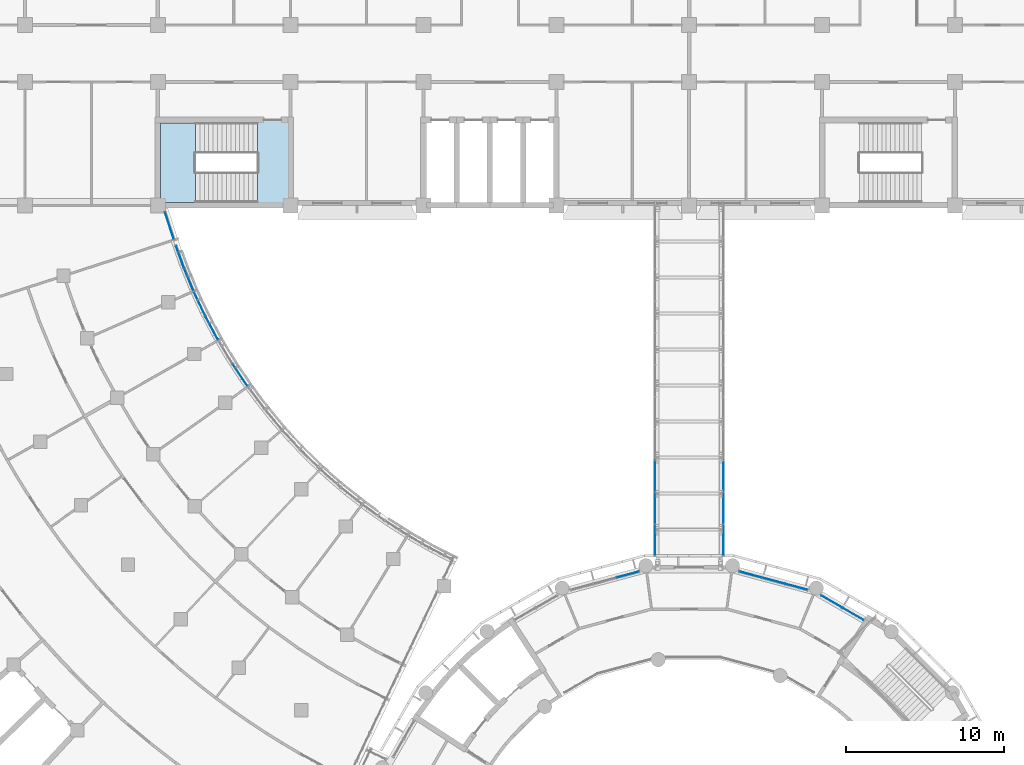
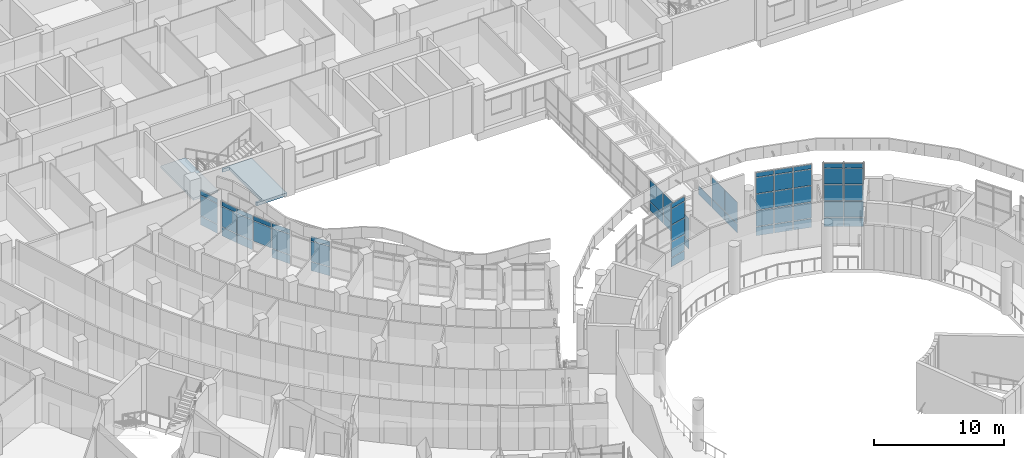
# One storey, part 48 of 136: 58 plates, 2 slabs, 10 elements without a shape of their own.
"""IFC4 building model written with IfcOpenShell, lengths in metres."""

from ifc_helpers import new_model, si_unit, direction, frame, origin, origin_2d, place, context, subcontext, project, spatial, polyline, rectangle, outline, extrude, material, layer, layer_set, type_object, element, aggregate, save


model = new_model("IFC4")

# Units and contexts
model_context = context("Model", 3, precision=1e-05, world=origin(), true_north=direction((0.0, 1.0)))
body_context = subcontext(model_context, "Body", "Model", "MODEL_VIEW")
ifc_project = project(units=[si_unit("LENGTHUNIT", "METRE"), si_unit("AREAUNIT", "SQUARE_METRE"), si_unit("VOLUMEUNIT", "CUBIC_METRE"), si_unit("PLANEANGLEUNIT", "RADIAN"), si_unit("MASSUNIT", "GRAM", prefix="KILO")], contexts=[model_context])

# Site, building, storey
site_placement = place(None, origin())
site = spatial("IfcSite", under=ifc_project, at=site_placement, CompositionType="ELEMENT")
building_placement = place(site_placement, origin())
building = spatial("IfcBuilding", under=site, at=building_placement, Name="Bougainvillea Quay General Hospital", CompositionType="ELEMENT")
storey_placement = place(building_placement, frame((0.0, 0.0, 5.39990234375)))
storey = spatial("IfcBuildingStorey", under=building, at=storey_placement, Name="L01", CompositionType="ELEMENT", Elevation=5.39990234375)

# Curtain wall, plates
ifc_material_1 = material(Name="Aluminium curtain wall system, powder-coated glazed", Category="aluminium")
curtain_wall_type_1 = type_object("IfcCurtainWallType", Name="Unitised curtain wall CW-2100", PredefinedType="NOTDEFINED", material=ifc_material_1)
curtain_wall_1_placement = place(storey_placement, origin())
curtain_wall_1 = element("IfcCurtainWall", 1, at=curtain_wall_1_placement, inside=storey, type_object=curtain_wall_type_1, Name="CW-W06 a11b5", PredefinedType="NOTDEFINED")
ifc_material_2 = material(Name="Insulated aluminium spandrel panel, white", Category="aluminium")
ifc_layer_1 = layer(ifc_material_2, 0.028076171875)
ifc_layer_set_1 = layer_set([ifc_layer_1], Name="Insulated aluminium spandrel panel, white")
plate_type_1 = type_object("IfcPlateType", Name="Insulated spandrel panel white 28", PredefinedType="CURTAIN_PANEL", material=ifc_layer_set_1)
plate_1_placement = place(storey_placement, frame((80.802001953125, 106.872802734375, 0.06005859375), z_axis=(0.0, 0.0, 1.0), x_axis=(-0.55900478642, 0.82916442806, 0.0)))
plate_1 = element("IfcPlate", 2, at=plate_1_placement, type_object=plate_type_1, Name="CW-W06 spandrel panel 1.1", PredefinedType="CURTAIN_PANEL", context=body_context, shape_type="SweptSolid", body=[
    extrude(rectangle(XDim=1.64697265625, YDim=0.028076171875, at=origin_2d()), origin(), (0.0, 0.0, 1.0), 0.81005859375),
])
plate_2_placement = place(storey_placement, frame((80.802001953125, 106.872802734375, 2.88037109375), z_axis=(0.0, 0.0, 1.0), x_axis=(-0.55900478642, 0.82916442806, 0.0)))
plate_2 = element("IfcPlate", 3, at=plate_2_placement, type_object=plate_type_1, Name="CW-W06 spandrel panel 1.3", PredefinedType="CURTAIN_PANEL", context=body_context, shape_type="SweptSolid", body=[
    extrude(rectangle(XDim=1.64697265625, YDim=0.028076171875, at=origin_2d()), origin(), (0.0, 0.0, 1.0), 0.409912109375),
])

curtain_wall_2_placement = place(storey_placement, origin())
curtain_wall_2 = element("IfcCurtainWall", 4, at=curtain_wall_2_placement, inside=storey, type_object=curtain_wall_type_1, Name="CW-W07 a11b6", PredefinedType="NOTDEFINED")
plate_3_placement = place(storey_placement, frame((79.010986328125, 109.8466796875, 0.06005859375), z_axis=(0.0, 0.0, 1.0), x_axis=(-0.472166178724, 0.881509557333, 0.0)))
plate_3 = element("IfcPlate", 5, at=plate_3_placement, type_object=plate_type_1, Name="CW-W07 spandrel panel 1.1", PredefinedType="CURTAIN_PANEL", context=body_context, shape_type="SweptSolid", body=[
    extrude(rectangle(XDim=1.64697265625, YDim=0.028076171875, at=origin_2d()), origin(), (0.0, 0.0, 1.0), 0.81005859375),
])
plate_4_placement = place(storey_placement, frame((79.010986328125, 109.8466796875, 2.88037109375), z_axis=(0.0, 0.0, 1.0), x_axis=(-0.472166178724, 0.881509557333, 0.0)))
plate_4 = element("IfcPlate", 6, at=plate_4_placement, type_object=plate_type_1, Name="CW-W07 spandrel panel 1.3", PredefinedType="CURTAIN_PANEL", context=body_context, shape_type="SweptSolid", body=[
    extrude(rectangle(XDim=1.64697265625, YDim=0.028076171875, at=origin_2d()), origin(), (0.0, 0.0, 1.0), 0.409912109375),
])
plate_5_placement = place(storey_placement, frame((78.24365234375, 111.370849609375, 2.88037109375), z_axis=(0.0, 0.0, 1.0), x_axis=(-0.426868645126, 0.904313640176, 0.0)))
plate_5 = element("IfcPlate", 7, at=plate_5_placement, type_object=plate_type_1, Name="CW-W07 spandrel panel 2.3", PredefinedType="CURTAIN_PANEL", context=body_context, shape_type="SweptSolid", body=[
    extrude(rectangle(XDim=1.64697265625, YDim=0.028076171875, at=origin_2d()), origin(), (0.0, 0.0, 1.0), 0.409912109375),
])

curtain_wall_3_placement = place(storey_placement, origin())
curtain_wall_3 = element("IfcCurtainWall", 8, at=curtain_wall_3_placement, inside=storey, type_object=curtain_wall_type_1, Name="CW-W08 a11b7", PredefinedType="NOTDEFINED")
plate_6_placement = place(storey_placement, frame((77.56103515625, 112.907470703125, 0.06005859375), z_axis=(0.0, 0.0, 1.0), x_axis=(-0.382770483282, 0.923843470036, 0.0)))
plate_6 = element("IfcPlate", 9, at=plate_6_placement, type_object=plate_type_1, Name="CW-W08 spandrel panel 1.1", PredefinedType="CURTAIN_PANEL", context=body_context, shape_type="SweptSolid", body=[
    extrude(rectangle(XDim=1.476806640625, YDim=0.028076171875, at=origin_2d()), origin(), (0.0, 0.0, 1.0), 0.81005859375),
])
plate_7_placement = place(storey_placement, frame((77.56103515625, 112.907470703125, 2.88037109375), z_axis=(0.0, 0.0, 1.0), x_axis=(-0.382770483282, 0.923843470036, 0.0)))
plate_7 = element("IfcPlate", 10, at=plate_7_placement, type_object=plate_type_1, Name="CW-W08 spandrel panel 1.3", PredefinedType="CURTAIN_PANEL", context=body_context, shape_type="SweptSolid", body=[
    extrude(rectangle(XDim=1.476806640625, YDim=0.028076171875, at=origin_2d()), origin(), (0.0, 0.0, 1.0), 0.409912109375),
])
plate_8_placement = place(storey_placement, frame((77.005615234375, 114.33984375, 0.06005859375), z_axis=(0.0, 0.0, 1.0), x_axis=(-0.340120177444, 0.940381978185, 0.0)))
plate_8 = element("IfcPlate", 11, at=plate_8_placement, type_object=plate_type_1, Name="CW-W08 spandrel panel 2.1", PredefinedType="CURTAIN_PANEL", context=body_context, shape_type="SweptSolid", body=[
    extrude(rectangle(XDim=1.476806640625, YDim=0.028076171875, at=origin_2d()), origin(), (0.0, 0.0, 1.0), 0.81005859375),
])
plate_9_placement = place(storey_placement, frame((77.005615234375, 114.33984375, 2.88037109375), z_axis=(0.0, 0.0, 1.0), x_axis=(-0.340120177444, 0.940381978185, 0.0)))
plate_9 = element("IfcPlate", 12, at=plate_9_placement, type_object=plate_type_1, Name="CW-W08 spandrel panel 2.3", PredefinedType="CURTAIN_PANEL", context=body_context, shape_type="SweptSolid", body=[
    extrude(rectangle(XDim=1.476806640625, YDim=0.028076171875, at=origin_2d()), origin(), (0.0, 0.0, 1.0), 0.409912109375),
])

curtain_wall_type_2 = type_object("IfcCurtainWallType", Name="Unitised curtain wall CW-1900", PredefinedType="NOTDEFINED", material=ifc_material_1)
curtain_wall_4_placement = place(storey_placement, origin())
curtain_wall_4 = element("IfcCurtainWall", 13, at=curtain_wall_4_placement, inside=storey, type_object=curtain_wall_type_2, Name="CW-AE 00", PredefinedType="NOTDEFINED")
plate_10_placement = place(storey_placement, frame((76.332763671875, 116.319091796875, 0.06005859375), z_axis=(0.0, 0.0, 1.0), x_axis=(-0.308970506674, 0.951071619809, 0.0)))
plate_10 = element("IfcPlate", 14, at=plate_10_placement, type_object=plate_type_1, Name="CW-AE spandrel panel 1.1", PredefinedType="CURTAIN_PANEL", context=body_context, shape_type="SweptSolid", body=[
    extrude(rectangle(XDim=1.779541015625, YDim=0.028076171875, at=origin_2d()), origin(), (0.0, 0.0, 1.0), 0.81005859375),
])
plate_11_placement = place(storey_placement, frame((76.332763671875, 116.319091796875, 2.88037109375), z_axis=(0.0, 0.0, 1.0), x_axis=(-0.308970506674, 0.951071619809, 0.0)))
plate_11 = element("IfcPlate", 15, at=plate_11_placement, type_object=plate_type_1, Name="CW-AE spandrel panel 1.3", PredefinedType="CURTAIN_PANEL", context=body_context, shape_type="SweptSolid", body=[
    extrude(rectangle(XDim=1.779541015625, YDim=0.028076171875, at=origin_2d()), origin(), (0.0, 0.0, 1.0), 0.409912109375),
])

curtain_wall_type_3 = type_object("IfcCurtainWallType", Name="Unitised curtain wall CW-1585", PredefinedType="NOTDEFINED", material=ifc_material_1)
curtain_wall_5_placement = place(storey_placement, origin())
curtain_wall_5 = element("IfcCurtainWall", 16, at=curtain_wall_5_placement, inside=storey, type_object=curtain_wall_type_3, Name="CW-D 00", PredefinedType="NOTDEFINED")
plate_12_placement = place(storey_placement, frame((119.56396484375, 91.768310546875, 0.06005859375), z_axis=(0.0, 0.0, 1.0), x_axis=(-0.866045865692, 0.499964557262, 0.0)))
plate_12 = element("IfcPlate", 17, at=plate_12_placement, type_object=plate_type_1, Name="CW-D spandrel panel 1.1", PredefinedType="CURTAIN_PANEL", context=body_context, shape_type="SweptSolid", body=[
    extrude(rectangle(XDim=1.494873046875, YDim=0.028076171875, at=origin_2d()), origin(), (0.0, 0.0, 1.0), 0.81005859375),
])
plate_13_placement = place(storey_placement, frame((119.56396484375, 91.768310546875, 5.580078125), z_axis=(0.0, 0.0, 1.0), x_axis=(-0.866045865692, 0.499964557262, 0.0)))
plate_13 = element("IfcPlate", 18, at=plate_13_placement, type_object=plate_type_1, Name="CW-D spandrel panel 1.5", PredefinedType="CURTAIN_PANEL", context=body_context, shape_type="SweptSolid", body=[
    extrude(rectangle(XDim=1.494873046875, YDim=0.028076171875, at=origin_2d()), origin(), (0.0, 0.0, 1.0), 0.409912109375),
])
plate_14_placement = place(storey_placement, frame((118.21728515625, 92.5458984375, 0.06005859375), z_axis=(0.0, 0.0, 1.0), x_axis=(-0.866045865692, 0.499964557262, 0.0)))
plate_14 = element("IfcPlate", 19, at=plate_14_placement, type_object=plate_type_1, Name="CW-D spandrel panel 2.1", PredefinedType="CURTAIN_PANEL", context=body_context, shape_type="SweptSolid", body=[
    extrude(rectangle(XDim=1.494873046875, YDim=0.028076171875, at=origin_2d()), origin(), (0.0, 0.0, 1.0), 0.81005859375),
])
plate_15_placement = place(storey_placement, frame((118.21728515625, 92.5458984375, 5.580078125), z_axis=(0.0, 0.0, 1.0), x_axis=(-0.866045865692, 0.499964557262, 0.0)))
plate_15 = element("IfcPlate", 20, at=plate_15_placement, type_object=plate_type_1, Name="CW-D spandrel panel 2.5", PredefinedType="CURTAIN_PANEL", context=body_context, shape_type="SweptSolid", body=[
    extrude(rectangle(XDim=1.494873046875, YDim=0.028076171875, at=origin_2d()), origin(), (0.0, 0.0, 1.0), 0.409912109375),
])

curtain_wall_type_4 = type_object("IfcCurtainWallType", Name="Unitised curtain wall CW-1514", PredefinedType="NOTDEFINED", material=ifc_material_1)
curtain_wall_6_placement = place(storey_placement, origin())
curtain_wall_6 = element("IfcCurtainWall", 21, at=curtain_wall_6_placement, inside=storey, type_object=curtain_wall_type_4, Name="CW-D 00", PredefinedType="NOTDEFINED")
plate_16_placement = place(storey_placement, frame((115.9716796875, 93.48095703125, 0.06005859375), z_axis=(0.0, 0.0, 1.0), x_axis=(-0.965916292974, 0.258854621298, 0.0)))
plate_16 = element("IfcPlate", 22, at=plate_16_placement, type_object=plate_type_1, Name="CW-D spandrel panel 1.1", PredefinedType="CURTAIN_PANEL", context=body_context, shape_type="SweptSolid", body=[
    extrude(rectangle(XDim=1.423828125, YDim=0.028076171875, at=origin_2d()), origin(), (0.0, 0.0, 1.0), 0.81005859375),
])
plate_17_placement = place(storey_placement, frame((115.9716796875, 93.48095703125, 5.580078125), z_axis=(0.0, 0.0, 1.0), x_axis=(-0.965916292974, 0.258854621298, 0.0)))
plate_17 = element("IfcPlate", 23, at=plate_17_placement, type_object=plate_type_1, Name="CW-D spandrel panel 1.5", PredefinedType="CURTAIN_PANEL", context=body_context, shape_type="SweptSolid", body=[
    extrude(rectangle(XDim=1.423828125, YDim=0.028076171875, at=origin_2d()), origin(), (0.0, 0.0, 1.0), 0.409912109375),
])
plate_18_placement = place(storey_placement, frame((114.523681640625, 93.869140625, 0.06005859375), z_axis=(0.0, 0.0, 1.0), x_axis=(-0.965916292974, 0.258854621298, 0.0)))
plate_18 = element("IfcPlate", 24, at=plate_18_placement, type_object=plate_type_1, Name="CW-D spandrel panel 2.1", PredefinedType="CURTAIN_PANEL", context=body_context, shape_type="SweptSolid", body=[
    extrude(rectangle(XDim=1.453857421875, YDim=0.028076171875, at=origin_2d()), origin(), (0.0, 0.0, 1.0), 0.81005859375),
])
plate_19_placement = place(storey_placement, frame((114.523681640625, 93.869140625, 5.580078125), z_axis=(0.0, 0.0, 1.0), x_axis=(-0.965916292974, 0.258854621298, 0.0)))
plate_19 = element("IfcPlate", 25, at=plate_19_placement, type_object=plate_type_1, Name="CW-D spandrel panel 2.5", PredefinedType="CURTAIN_PANEL", context=body_context, shape_type="SweptSolid", body=[
    extrude(rectangle(XDim=1.453857421875, YDim=0.028076171875, at=origin_2d()), origin(), (0.0, 0.0, 1.0), 0.409912109375),
])
plate_20_placement = place(storey_placement, frame((113.075927734375, 94.257080078125, 0.06005859375), z_axis=(0.0, 0.0, 1.0), x_axis=(-0.965916292974, 0.258854621298, 0.0)))
plate_20 = element("IfcPlate", 26, at=plate_20_placement, type_object=plate_type_1, Name="CW-D spandrel panel 3.1", PredefinedType="CURTAIN_PANEL", context=body_context, shape_type="SweptSolid", body=[
    extrude(rectangle(XDim=1.423828125, YDim=0.028076171875, at=origin_2d()), origin(), (0.0, 0.0, 1.0), 0.81005859375),
])
plate_21_placement = place(storey_placement, frame((113.075927734375, 94.257080078125, 5.580078125), z_axis=(0.0, 0.0, 1.0), x_axis=(-0.965916292974, 0.258854621298, 0.0)))
plate_21 = element("IfcPlate", 27, at=plate_21_placement, type_object=plate_type_1, Name="CW-D spandrel panel 3.5", PredefinedType="CURTAIN_PANEL", context=body_context, shape_type="SweptSolid", body=[
    extrude(rectangle(XDim=1.423828125, YDim=0.028076171875, at=origin_2d()), origin(), (0.0, 0.0, 1.0), 0.409912109375),
])

curtain_wall_7_placement = place(storey_placement, origin())
curtain_wall_7 = element("IfcCurtainWall", 28, at=curtain_wall_7_placement, inside=storey, type_object=curtain_wall_type_4, Name="CW-D 00", PredefinedType="NOTDEFINED")
plate_22_placement = place(storey_placement, frame((105.323974609375, 94.257080078125, 0.06005859375), z_axis=(0.0, 0.0, 1.0), x_axis=(-0.965916292974, -0.258854621298, 0.0)))
plate_22 = element("IfcPlate", 29, at=plate_22_placement, type_object=plate_type_1, Name="CW-D spandrel panel 1.1", PredefinedType="CURTAIN_PANEL", context=body_context, shape_type="SweptSolid", body=[
    extrude(rectangle(XDim=1.423828125, YDim=0.028076171875, at=origin_2d()), origin(), (0.0, 0.0, 1.0), 0.81005859375),
])
plate_23_placement = place(storey_placement, frame((105.323974609375, 94.257080078125, 5.580078125), z_axis=(0.0, 0.0, 1.0), x_axis=(-0.965916292974, -0.258854621298, 0.0)))
plate_23 = element("IfcPlate", 30, at=plate_23_placement, type_object=plate_type_1, Name="CW-D spandrel panel 1.5", PredefinedType="CURTAIN_PANEL", context=body_context, shape_type="SweptSolid", body=[
    extrude(rectangle(XDim=1.423828125, YDim=0.028076171875, at=origin_2d()), origin(), (0.0, 0.0, 1.0), 0.409912109375),
])

curtain_wall_8_placement = place(storey_placement, origin())
curtain_wall_8 = element("IfcCurtainWall", 31, at=curtain_wall_8_placement, inside=storey, type_object=curtain_wall_type_1, Name="BG-L L", PredefinedType="NOTDEFINED")
plate_24_placement = place(storey_placement, frame((107.0400390625, 96.443115234375, 0.06005859375), z_axis=(0.0, 0.0, 1.0), x_axis=(0.0, 1.0, 0.0)))
plate_24 = element("IfcPlate", 32, at=plate_24_placement, type_object=plate_type_1, Name="BG-L spandrel panel 1.1", PredefinedType="CURTAIN_PANEL", context=body_context, shape_type="SweptSolid", body=[
    extrude(rectangle(XDim=1.92626953125, YDim=0.028076171875, at=origin_2d()), origin(), (0.0, 0.0, 1.0), 0.81005859375),
])
plate_25_placement = place(storey_placement, frame((107.0400390625, 98.444580078125, 0.06005859375), z_axis=(0.0, 0.0, 1.0), x_axis=(0.0, 1.0, 0.0)))
plate_25 = element("IfcPlate", 33, at=plate_25_placement, type_object=plate_type_1, Name="BG-L spandrel panel 2.1", PredefinedType="CURTAIN_PANEL", context=body_context, shape_type="SweptSolid", body=[
    extrude(rectangle(XDim=1.956298828125, YDim=0.028076171875, at=origin_2d()), origin(), (0.0, 0.0, 1.0), 0.81005859375),
])
plate_26_placement = place(storey_placement, frame((107.0400390625, 100.4609375, 0.06005859375), z_axis=(0.0, 0.0, 1.0), x_axis=(0.0, 1.0, 0.0)))
plate_26 = element("IfcPlate", 34, at=plate_26_placement, type_object=plate_type_1, Name="BG-L spandrel panel 3.1", PredefinedType="CURTAIN_PANEL", context=body_context, shape_type="SweptSolid", body=[
    extrude(rectangle(XDim=1.956298828125, YDim=0.028076171875, at=origin_2d()), origin(), (0.0, 0.0, 1.0), 0.81005859375),
])

curtain_wall_9_placement = place(storey_placement, origin())
curtain_wall_9 = element("IfcCurtainWall", 35, at=curtain_wall_9_placement, inside=storey, type_object=curtain_wall_type_1, Name="BG-R R", PredefinedType="NOTDEFINED")
plate_27_placement = place(storey_placement, frame((111.360107421875, 100.4609375, 0.06005859375), z_axis=(0.0, 0.0, 1.0), x_axis=(0.0, -1.0, 0.0)))
plate_27 = element("IfcPlate", 36, at=plate_27_placement, type_object=plate_type_1, Name="BG-R spandrel panel 9.1", PredefinedType="CURTAIN_PANEL", context=body_context, shape_type="SweptSolid", body=[
    extrude(rectangle(XDim=1.956298828125, YDim=0.028076171875, at=origin_2d()), origin(), (0.0, 0.0, 1.0), 0.81005859375),
])
plate_28_placement = place(storey_placement, frame((111.360107421875, 98.444580078125, 0.06005859375), z_axis=(0.0, 0.0, 1.0), x_axis=(0.0, -1.0, 0.0)))
plate_28 = element("IfcPlate", 37, at=plate_28_placement, type_object=plate_type_1, Name="BG-R spandrel panel 10.1", PredefinedType="CURTAIN_PANEL", context=body_context, shape_type="SweptSolid", body=[
    extrude(rectangle(XDim=1.956298828125, YDim=0.028076171875, at=origin_2d()), origin(), (0.0, 0.0, 1.0), 0.81005859375),
])
plate_29_placement = place(storey_placement, frame((111.360107421875, 96.443115234375, 0.06005859375), z_axis=(0.0, 0.0, 1.0), x_axis=(0.0, -1.0, 0.0)))
plate_29 = element("IfcPlate", 38, at=plate_29_placement, type_object=plate_type_1, Name="BG-R spandrel panel 11.1", PredefinedType="CURTAIN_PANEL", context=body_context, shape_type="SweptSolid", body=[
    extrude(rectangle(XDim=1.92626953125, YDim=0.028076171875, at=origin_2d()), origin(), (0.0, 0.0, 1.0), 0.81005859375),
])

# Plate
ifc_material_3 = material(Name="Low-e laminated glass, solar control", Category="glass")
ifc_layer_2 = layer(ifc_material_3, 0.028076171875)
ifc_layer_set_2 = layer_set([ifc_layer_2], Name="Low-e laminated glass, solar control")
plate_type_2 = type_object("IfcPlateType", Name="Low-e laminated vision glass 28", PredefinedType="CURTAIN_PANEL", material=ifc_layer_set_2)
plate_30_placement = place(storey_placement, frame((80.802001953125, 106.872802734375, 0.93017578125), z_axis=(0.0, 0.0, 1.0), x_axis=(-0.55900478642, 0.82916442806, 0.0)))
plate_30 = element("IfcPlate", 39, at=plate_30_placement, type_object=plate_type_2, Name="CW-W06 vision glass panel 1.2", PredefinedType="CURTAIN_PANEL", context=body_context, shape_type="SweptSolid", body=[
    extrude(rectangle(XDim=1.64697265625, YDim=0.028076171875, at=origin_2d()), origin(), (0.0, 0.0, 1.0), 1.889892578125),
])

aggregate(curtain_wall_1, [plate_1, plate_30, plate_2])

plate_31_placement = place(storey_placement, frame((79.010986328125, 109.8466796875, 0.93017578125), z_axis=(0.0, 0.0, 1.0), x_axis=(-0.472166178724, 0.881509557333, 0.0)))
plate_31 = element("IfcPlate", 40, at=plate_31_placement, type_object=plate_type_2, Name="CW-W07 vision glass panel 1.2", PredefinedType="CURTAIN_PANEL", context=body_context, shape_type="SweptSolid", body=[
    extrude(rectangle(XDim=1.64697265625, YDim=0.028076171875, at=origin_2d()), origin(), (0.0, 0.0, 1.0), 1.889892578125),
])

plate_32_placement = place(storey_placement, frame((78.24365234375, 111.370849609375, 0.93017578125), z_axis=(0.0, 0.0, 1.0), x_axis=(-0.426868645126, 0.904313640176, 0.0)))
plate_32 = element("IfcPlate", 41, at=plate_32_placement, type_object=plate_type_2, Name="CW-W07 vision glass panel 2.2", PredefinedType="CURTAIN_PANEL", context=body_context, shape_type="SweptSolid", body=[
    extrude(rectangle(XDim=1.64697265625, YDim=0.028076171875, at=origin_2d()), origin(), (0.0, 0.0, 1.0), 1.889892578125),
])

aggregate(curtain_wall_2, [plate_3, plate_31, plate_4, plate_32, plate_5])

plate_33_placement = place(storey_placement, frame((77.56103515625, 112.907470703125, 0.93017578125), z_axis=(0.0, 0.0, 1.0), x_axis=(-0.382770483282, 0.923843470036, 0.0)))
plate_33 = element("IfcPlate", 42, at=plate_33_placement, type_object=plate_type_2, Name="CW-W08 vision glass panel 1.2", PredefinedType="CURTAIN_PANEL", context=body_context, shape_type="SweptSolid", body=[
    extrude(rectangle(XDim=1.476806640625, YDim=0.028076171875, at=origin_2d()), origin(), (0.0, 0.0, 1.0), 1.889892578125),
])

plate_34_placement = place(storey_placement, frame((77.005615234375, 114.33984375, 0.93017578125), z_axis=(0.0, 0.0, 1.0), x_axis=(-0.340120177444, 0.940381978185, 0.0)))
plate_34 = element("IfcPlate", 43, at=plate_34_placement, type_object=plate_type_2, Name="CW-W08 vision glass panel 2.2", PredefinedType="CURTAIN_PANEL", context=body_context, shape_type="SweptSolid", body=[
    extrude(rectangle(XDim=1.476806640625, YDim=0.028076171875, at=origin_2d()), origin(), (0.0, 0.0, 1.0), 1.889892578125),
])

aggregate(curtain_wall_3, [plate_6, plate_33, plate_7, plate_8, plate_34, plate_9])

plate_35_placement = place(storey_placement, frame((76.332763671875, 116.319091796875, 0.93017578125), z_axis=(0.0, 0.0, 1.0), x_axis=(-0.308970506674, 0.951071619809, 0.0)))
plate_35 = element("IfcPlate", 44, at=plate_35_placement, type_object=plate_type_2, Name="CW-AE vision glass panel 1.2", PredefinedType="CURTAIN_PANEL", context=body_context, shape_type="SweptSolid", body=[
    extrude(rectangle(XDim=1.779541015625, YDim=0.028076171875, at=origin_2d()), origin(), (0.0, 0.0, 1.0), 1.889892578125),
])

aggregate(curtain_wall_4, [plate_10, plate_35, plate_11])

plate_36_placement = place(storey_placement, frame((119.56396484375, 91.768310546875, 0.93017578125), z_axis=(0.0, 0.0, 1.0), x_axis=(-0.866045865692, 0.499964557262, 0.0)))
plate_36 = element("IfcPlate", 45, at=plate_36_placement, type_object=plate_type_2, Name="CW-D vision glass panel 1.2", PredefinedType="CURTAIN_PANEL", context=body_context, shape_type="SweptSolid", body=[
    extrude(rectangle(XDim=1.494873046875, YDim=0.028076171875, at=origin_2d()), origin(), (0.0, 0.0, 1.0), 1.489990234375),
])

plate_37_placement = place(storey_placement, frame((119.56396484375, 91.768310546875, 2.47998046875), z_axis=(0.0, 0.0, 1.0), x_axis=(-0.866045865692, 0.499964557262, 0.0)))
plate_37 = element("IfcPlate", 46, at=plate_37_placement, type_object=plate_type_2, Name="CW-D vision glass panel 1.3", PredefinedType="CURTAIN_PANEL", context=body_context, shape_type="SweptSolid", body=[
    extrude(rectangle(XDim=1.494873046875, YDim=0.028076171875, at=origin_2d()), origin(), (0.0, 0.0, 1.0), 1.489990234375),
])

plate_38_placement = place(storey_placement, frame((119.56396484375, 91.768310546875, 4.0302734375), z_axis=(0.0, 0.0, 1.0), x_axis=(-0.866045865692, 0.499964557262, 0.0)))
plate_38 = element("IfcPlate", 47, at=plate_38_placement, type_object=plate_type_2, Name="CW-D vision glass panel 1.4", PredefinedType="CURTAIN_PANEL", context=body_context, shape_type="SweptSolid", body=[
    extrude(rectangle(XDim=1.494873046875, YDim=0.028076171875, at=origin_2d()), origin(), (0.0, 0.0, 1.0), 1.489990234375),
])

plate_39_placement = place(storey_placement, frame((118.21728515625, 92.5458984375, 0.93017578125), z_axis=(0.0, 0.0, 1.0), x_axis=(-0.866045865692, 0.499964557262, 0.0)))
plate_39 = element("IfcPlate", 48, at=plate_39_placement, type_object=plate_type_2, Name="CW-D vision glass panel 2.2", PredefinedType="CURTAIN_PANEL", context=body_context, shape_type="SweptSolid", body=[
    extrude(rectangle(XDim=1.494873046875, YDim=0.028076171875, at=origin_2d()), origin(), (0.0, 0.0, 1.0), 1.489990234375),
])

plate_40_placement = place(storey_placement, frame((118.21728515625, 92.5458984375, 2.47998046875), z_axis=(0.0, 0.0, 1.0), x_axis=(-0.866045865692, 0.499964557262, 0.0)))
plate_40 = element("IfcPlate", 49, at=plate_40_placement, type_object=plate_type_2, Name="CW-D vision glass panel 2.3", PredefinedType="CURTAIN_PANEL", context=body_context, shape_type="SweptSolid", body=[
    extrude(rectangle(XDim=1.494873046875, YDim=0.028076171875, at=origin_2d()), origin(), (0.0, 0.0, 1.0), 1.489990234375),
])

plate_41_placement = place(storey_placement, frame((118.21728515625, 92.5458984375, 4.0302734375), z_axis=(0.0, 0.0, 1.0), x_axis=(-0.866045865692, 0.499964557262, 0.0)))
plate_41 = element("IfcPlate", 50, at=plate_41_placement, type_object=plate_type_2, Name="CW-D vision glass panel 2.4", PredefinedType="CURTAIN_PANEL", context=body_context, shape_type="SweptSolid", body=[
    extrude(rectangle(XDim=1.494873046875, YDim=0.028076171875, at=origin_2d()), origin(), (0.0, 0.0, 1.0), 1.489990234375),
])

aggregate(curtain_wall_5, [plate_12, plate_36, plate_37, plate_38, plate_13, plate_14, plate_39, plate_40, plate_41, plate_15])

plate_42_placement = place(storey_placement, frame((115.9716796875, 93.48095703125, 0.93017578125), z_axis=(0.0, 0.0, 1.0), x_axis=(-0.965916292974, 0.258854621298, 0.0)))
plate_42 = element("IfcPlate", 51, at=plate_42_placement, type_object=plate_type_2, Name="CW-D vision glass panel 1.2", PredefinedType="CURTAIN_PANEL", context=body_context, shape_type="SweptSolid", body=[
    extrude(rectangle(XDim=1.423828125, YDim=0.028076171875, at=origin_2d()), origin(), (0.0, 0.0, 1.0), 1.489990234375),
])

plate_43_placement = place(storey_placement, frame((115.9716796875, 93.48095703125, 2.47998046875), z_axis=(0.0, 0.0, 1.0), x_axis=(-0.965916292974, 0.258854621298, 0.0)))
plate_43 = element("IfcPlate", 52, at=plate_43_placement, type_object=plate_type_2, Name="CW-D vision glass panel 1.3", PredefinedType="CURTAIN_PANEL", context=body_context, shape_type="SweptSolid", body=[
    extrude(rectangle(XDim=1.423828125, YDim=0.028076171875, at=origin_2d()), origin(), (0.0, 0.0, 1.0), 1.489990234375),
])

plate_44_placement = place(storey_placement, frame((115.9716796875, 93.48095703125, 4.0302734375), z_axis=(0.0, 0.0, 1.0), x_axis=(-0.965916292974, 0.258854621298, 0.0)))
plate_44 = element("IfcPlate", 53, at=plate_44_placement, type_object=plate_type_2, Name="CW-D vision glass panel 1.4", PredefinedType="CURTAIN_PANEL", context=body_context, shape_type="SweptSolid", body=[
    extrude(rectangle(XDim=1.423828125, YDim=0.028076171875, at=origin_2d()), origin(), (0.0, 0.0, 1.0), 1.489990234375),
])

plate_45_placement = place(storey_placement, frame((114.523681640625, 93.869140625, 0.93017578125), z_axis=(0.0, 0.0, 1.0), x_axis=(-0.965916292974, 0.258854621298, 0.0)))
plate_45 = element("IfcPlate", 54, at=plate_45_placement, type_object=plate_type_2, Name="CW-D vision glass panel 2.2", PredefinedType="CURTAIN_PANEL", context=body_context, shape_type="SweptSolid", body=[
    extrude(rectangle(XDim=1.453857421875, YDim=0.028076171875, at=origin_2d()), origin(), (0.0, 0.0, 1.0), 1.489990234375),
])

plate_46_placement = place(storey_placement, frame((114.523681640625, 93.869140625, 2.47998046875), z_axis=(0.0, 0.0, 1.0), x_axis=(-0.965916292974, 0.258854621298, 0.0)))
plate_46 = element("IfcPlate", 55, at=plate_46_placement, type_object=plate_type_2, Name="CW-D vision glass panel 2.3", PredefinedType="CURTAIN_PANEL", context=body_context, shape_type="SweptSolid", body=[
    extrude(rectangle(XDim=1.453857421875, YDim=0.028076171875, at=origin_2d()), origin(), (0.0, 0.0, 1.0), 1.489990234375),
])

plate_47_placement = place(storey_placement, frame((114.523681640625, 93.869140625, 4.0302734375), z_axis=(0.0, 0.0, 1.0), x_axis=(-0.965916292974, 0.258854621298, 0.0)))
plate_47 = element("IfcPlate", 56, at=plate_47_placement, type_object=plate_type_2, Name="CW-D vision glass panel 2.4", PredefinedType="CURTAIN_PANEL", context=body_context, shape_type="SweptSolid", body=[
    extrude(rectangle(XDim=1.453857421875, YDim=0.028076171875, at=origin_2d()), origin(), (0.0, 0.0, 1.0), 1.489990234375),
])

plate_48_placement = place(storey_placement, frame((113.075927734375, 94.257080078125, 0.93017578125), z_axis=(0.0, 0.0, 1.0), x_axis=(-0.965916292974, 0.258854621298, 0.0)))
plate_48 = element("IfcPlate", 57, at=plate_48_placement, type_object=plate_type_2, Name="CW-D vision glass panel 3.2", PredefinedType="CURTAIN_PANEL", context=body_context, shape_type="SweptSolid", body=[
    extrude(rectangle(XDim=1.423828125, YDim=0.028076171875, at=origin_2d()), origin(), (0.0, 0.0, 1.0), 1.489990234375),
])

plate_49_placement = place(storey_placement, frame((113.075927734375, 94.257080078125, 2.47998046875), z_axis=(0.0, 0.0, 1.0), x_axis=(-0.965916292974, 0.258854621298, 0.0)))
plate_49 = element("IfcPlate", 58, at=plate_49_placement, type_object=plate_type_2, Name="CW-D vision glass panel 3.3", PredefinedType="CURTAIN_PANEL", context=body_context, shape_type="SweptSolid", body=[
    extrude(rectangle(XDim=1.423828125, YDim=0.028076171875, at=origin_2d()), origin(), (0.0, 0.0, 1.0), 1.489990234375),
])

plate_50_placement = place(storey_placement, frame((113.075927734375, 94.257080078125, 4.0302734375), z_axis=(0.0, 0.0, 1.0), x_axis=(-0.965916292974, 0.258854621298, 0.0)))
plate_50 = element("IfcPlate", 59, at=plate_50_placement, type_object=plate_type_2, Name="CW-D vision glass panel 3.4", PredefinedType="CURTAIN_PANEL", context=body_context, shape_type="SweptSolid", body=[
    extrude(rectangle(XDim=1.423828125, YDim=0.028076171875, at=origin_2d()), origin(), (0.0, 0.0, 1.0), 1.489990234375),
])

aggregate(curtain_wall_6, [plate_16, plate_42, plate_43, plate_44, plate_17, plate_18, plate_45, plate_46, plate_47, plate_19, plate_20, plate_48, plate_49, plate_50, plate_21])

plate_51_placement = place(storey_placement, frame((105.323974609375, 94.257080078125, 0.93017578125), z_axis=(0.0, 0.0, 1.0), x_axis=(-0.965916292974, -0.258854621298, 0.0)))
plate_51 = element("IfcPlate", 60, at=plate_51_placement, type_object=plate_type_2, Name="CW-D vision glass panel 1.2", PredefinedType="CURTAIN_PANEL", context=body_context, shape_type="SweptSolid", body=[
    extrude(rectangle(XDim=1.423828125, YDim=0.028076171875, at=origin_2d()), origin(), (0.0, 0.0, 1.0), 1.489990234375),
])

plate_52_placement = place(storey_placement, frame((105.323974609375, 94.257080078125, 2.47998046875), z_axis=(0.0, 0.0, 1.0), x_axis=(-0.965916292974, -0.258854621298, 0.0)))
plate_52 = element("IfcPlate", 61, at=plate_52_placement, type_object=plate_type_2, Name="CW-D vision glass panel 1.3", PredefinedType="CURTAIN_PANEL", context=body_context, shape_type="SweptSolid", body=[
    extrude(rectangle(XDim=1.423828125, YDim=0.028076171875, at=origin_2d()), origin(), (0.0, 0.0, 1.0), 1.489990234375),
])

plate_53_placement = place(storey_placement, frame((105.323974609375, 94.257080078125, 4.0302734375), z_axis=(0.0, 0.0, 1.0), x_axis=(-0.965916292974, -0.258854621298, 0.0)))
plate_53 = element("IfcPlate", 62, at=plate_53_placement, type_object=plate_type_2, Name="CW-D vision glass panel 1.4", PredefinedType="CURTAIN_PANEL", context=body_context, shape_type="SweptSolid", body=[
    extrude(rectangle(XDim=1.423828125, YDim=0.028076171875, at=origin_2d()), origin(), (0.0, 0.0, 1.0), 1.489990234375),
])

aggregate(curtain_wall_7, [plate_22, plate_51, plate_52, plate_53, plate_23])

plate_54_placement = place(storey_placement, frame((107.0400390625, 96.443115234375, 0.93017578125), z_axis=(0.0, 0.0, 1.0), x_axis=(0.0, 1.0, 0.0)))
plate_54 = element("IfcPlate", 63, at=plate_54_placement, type_object=plate_type_2, Name="BG-L vision glass panel 1.2", PredefinedType="CURTAIN_PANEL", context=body_context, shape_type="SweptSolid", body=[
    extrude(rectangle(XDim=1.92626953125, YDim=0.028076171875, at=origin_2d()), origin(), (0.0, 0.0, 1.0), 2.010009765625),
])

plate_55_placement = place(storey_placement, frame((107.0400390625, 98.444580078125, 0.93017578125), z_axis=(0.0, 0.0, 1.0), x_axis=(0.0, 1.0, 0.0)))
plate_55 = element("IfcPlate", 64, at=plate_55_placement, type_object=plate_type_2, Name="BG-L vision glass panel 2.2", PredefinedType="CURTAIN_PANEL", context=body_context, shape_type="SweptSolid", body=[
    extrude(rectangle(XDim=1.956298828125, YDim=0.028076171875, at=origin_2d()), origin(), (0.0, 0.0, 1.0), 2.010009765625),
])

plate_56_placement = place(storey_placement, frame((107.0400390625, 100.4609375, 0.93017578125), z_axis=(0.0, 0.0, 1.0), x_axis=(0.0, 1.0, 0.0)))
plate_56 = element("IfcPlate", 65, at=plate_56_placement, type_object=plate_type_2, Name="BG-L vision glass panel 3.2", PredefinedType="CURTAIN_PANEL", context=body_context, shape_type="SweptSolid", body=[
    extrude(rectangle(XDim=1.956298828125, YDim=0.028076171875, at=origin_2d()), origin(), (0.0, 0.0, 1.0), 2.010009765625),
])

aggregate(curtain_wall_8, [plate_24, plate_54, plate_25, plate_55, plate_26, plate_56])

plate_57_placement = place(storey_placement, frame((111.360107421875, 98.444580078125, 0.93017578125), z_axis=(0.0, 0.0, 1.0), x_axis=(0.0, -1.0, 0.0)))
plate_57 = element("IfcPlate", 66, at=plate_57_placement, type_object=plate_type_2, Name="BG-R vision glass panel 10.2", PredefinedType="CURTAIN_PANEL", context=body_context, shape_type="SweptSolid", body=[
    extrude(rectangle(XDim=1.956298828125, YDim=0.028076171875, at=origin_2d()), origin(), (0.0, 0.0, 1.0), 2.010009765625),
])

plate_58_placement = place(storey_placement, frame((111.360107421875, 96.443115234375, 0.93017578125), z_axis=(0.0, 0.0, 1.0), x_axis=(0.0, -1.0, 0.0)))
plate_58 = element("IfcPlate", 67, at=plate_58_placement, type_object=plate_type_2, Name="BG-R vision glass panel 11.2", PredefinedType="CURTAIN_PANEL", context=body_context, shape_type="SweptSolid", body=[
    extrude(rectangle(XDim=1.92626953125, YDim=0.028076171875, at=origin_2d()), origin(), (0.0, 0.0, 1.0), 2.010009765625),
])

aggregate(curtain_wall_9, [plate_27, plate_28, plate_57, plate_29, plate_58])

# Slab
ifc_material_4 = material(Name="Concrete C35", Category="concrete")
ifc_layer_3 = layer(ifc_material_4, 0.300048828125)
ifc_layer_set_3 = layer_set([ifc_layer_3], Name="Concrete C35")
slab_type_1 = type_object("IfcSlabType", Name="RC FLAT SLAB 300 C35", PredefinedType="FLOOR", material=ifc_layer_set_3)
slab_1_placement = place(storey_placement, frame((0.0, 0.0, -0.2998046875)))
element("IfcSlab", 68, at=slab_1_placement, inside=storey, type_object=slab_type_1, Name="Stair landing floor ST-B2 L01", PredefinedType="FLOOR", context=body_context, shape_type="SweptSolid", body=[
    extrude(outline(polyline([(81.302978515625, 122.8837890625), (81.3115234375, 122.942138671875), (81.325927734375, 122.99951171875), (84.0, 123.0), (84.0, 117.60009765625), (81.325927734375, 117.600341796875), (81.3115234375, 117.657958984375), (81.302978515625, 117.71630859375), (81.300048828125, 117.77392578125), (81.900634765625, 117.7744140625), (81.900634765625, 122.82568359375), (81.300048828125, 122.825927734375), (81.302978515625, 122.8837890625)])), origin(), (0.0, 0.0, 1.0), 0.2998046875),
])

# Stair, slab
stair_type = type_object("IfcStairType", Name="Stair half-turn 1925 wide", PredefinedType="HALF_TURN_STAIR", material=ifc_material_4)
stair_placement = place(storey_placement, origin())
stair = element("IfcStair", 69, at=stair_placement, inside=storey, type_object=stair_type, Name="L01 stair ST-B2", PredefinedType="HALF_TURN_STAIR")
ifc_layer_4 = layer(ifc_material_4, 0.199951171875)
ifc_layer_set_4 = layer_set([ifc_layer_4], Name="Concrete C35")
slab_type_2 = type_object("IfcSlabType", Name="Stair landing 200", PredefinedType="LANDING", material=ifc_layer_set_4)
slab_2_placement = place(storey_placement, frame((0.0, 0.0, 2.050048828125)))
slab_2 = element("IfcSlab", 70, at=slab_2_placement, type_object=slab_type_2, Name="ST-B2 landing 1", PredefinedType="LANDING", context=body_context, shape_type="SweptSolid", body=[
    extrude(outline(polyline([(77.97998046875, 122.824951171875), (75.77490234375, 122.824951171875), (75.77490234375, 117.77490234375), (77.97998046875, 117.77490234375), (77.97998046875, 122.824951171875)])), origin(), (0.0, 0.0, 1.0), 0.199951171875),
])
aggregate(stair, [slab_2])

save(model, "model.ifc")
